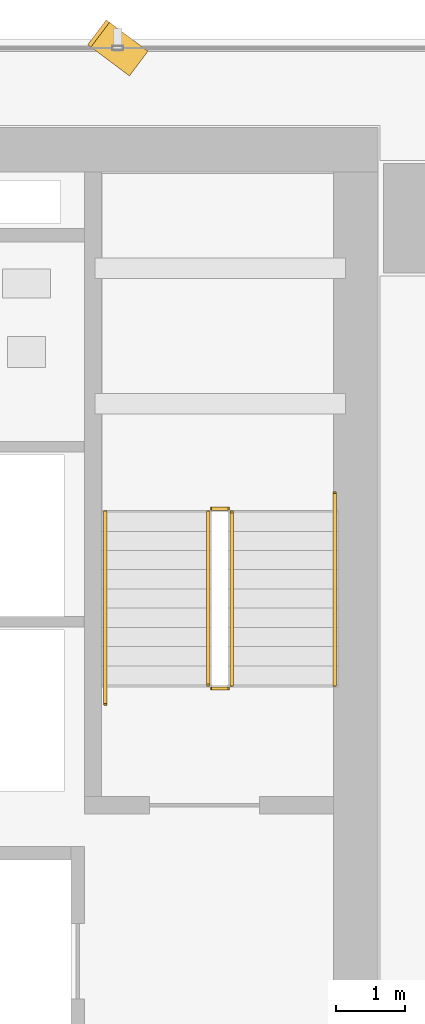
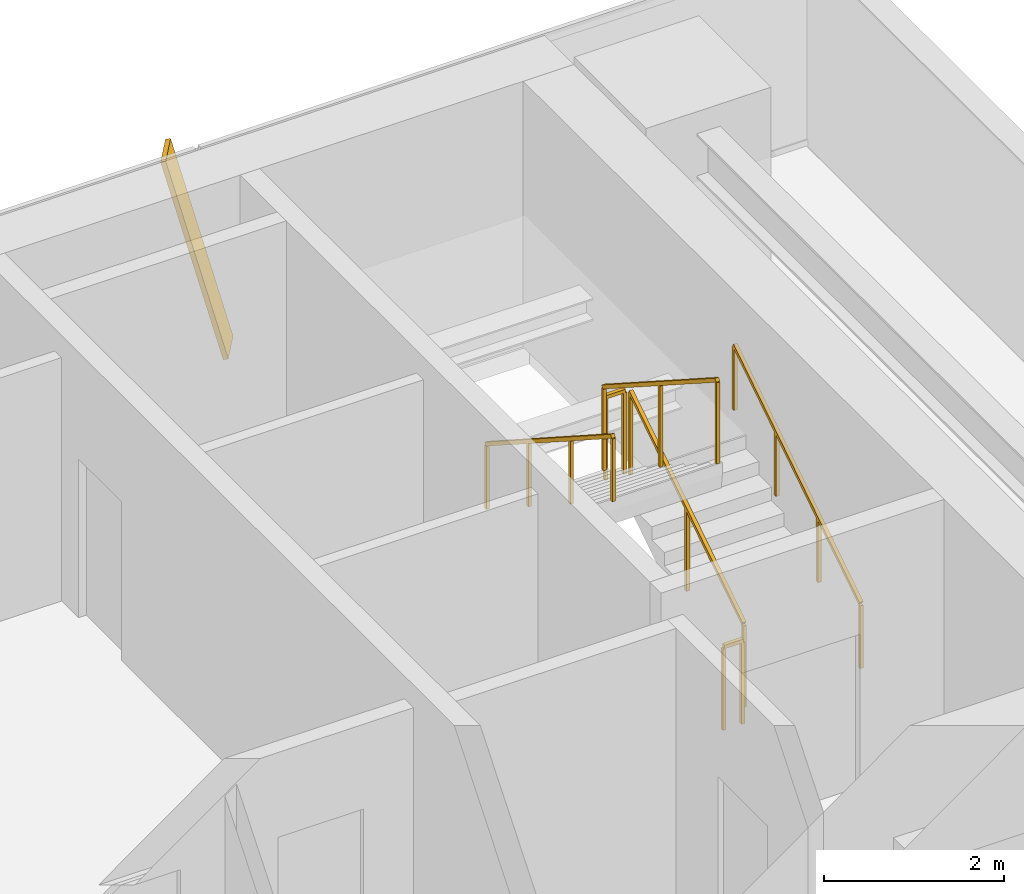
# One storey, part 35 of 36: 6 railings, 1 shading device.
"""IFC4 building model written with IfcOpenShell, lengths in metres."""

from ifc_helpers import new_model, si_unit, direction, frame, origin, origin_2d, place, context, subcontext, project, spatial, rectangle, extrude, source, transform, mapped, material, material_profile, profile_set, type_object, element, save


model = new_model("IFC4")

# Units and contexts
model_context = context("Model", 3, precision=1e-05, world=origin(), true_north=direction((0.0, 1.0)))
body_context = subcontext(model_context, "Body", "Model", "MODEL_VIEW")
ifc_project = project(units=[si_unit("LENGTHUNIT", "METRE"), si_unit("AREAUNIT", "SQUARE_METRE"), si_unit("VOLUMEUNIT", "CUBIC_METRE"), si_unit("PLANEANGLEUNIT", "RADIAN"), si_unit("MASSUNIT", "GRAM", prefix="KILO")], contexts=[model_context])

# Site, building, storey
site_placement = place(None, origin())
site = spatial("IfcSite", under=ifc_project, at=site_placement, CompositionType="ELEMENT")
building_placement = place(site_placement, origin())
building = spatial("IfcBuilding", under=site, at=building_placement, Name="Sumidabori Civic Tower", CompositionType="ELEMENT")
storey_placement = place(building_placement, frame((0.0, 0.0, 120.800048828125)))
storey = spatial("IfcBuildingStorey", under=building, at=storey_placement, Name="L31", CompositionType="ELEMENT", Elevation=120.800048828125)

# Railings
ifc_material_1 = material(Name="Stainless Steel Hairline Finish", Category="steel")
railing_type_1 = type_object("IfcRailingType", Name="RL-HANDRAIL", PredefinedType="HANDRAIL", material=ifc_material_1)
railing_1_placement = place(storey_placement, frame((15.2900390625, 16.0, 0.179931640625)))
element("IfcRailing", 1, at=railing_1_placement, inside=storey, type_object=railing_type_1, Name="L31 ST-2 stair handrail 1", PredefinedType="HANDRAIL", context=body_context, shape_type="SweptSolid", body=[
    extrude(rectangle(XDim=0.048095703125, YDim=0.048095703125, at=origin_2d()), frame((0.0, 0.0, 0.8759765625), z_axis=(0.0, 0.840675598268, 0.541539046124), x_axis=(-1.0, 0.0, 0.0)), (0.0, 0.0, 1.0), 3.330810546875),
    extrude(rectangle(XDim=0.0419921875, YDim=0.0419921875, at=origin_2d()), origin(), (0.0, 0.0, 1.0), 0.851806640625),
    extrude(rectangle(XDim=0.0419921875, YDim=0.0419921875, at=origin_2d()), frame((0.0, 0.933349609375, 0.601318359375)), (0.0, 0.0, 1.0), 0.851806640625),
    extrude(rectangle(XDim=0.0419921875, YDim=0.0419921875, at=origin_2d()), frame((0.0, 1.86669921875, 1.202392578125)), (0.0, 0.0, 1.0), 0.851806640625),
    extrude(rectangle(XDim=0.0419921875, YDim=0.0419921875, at=origin_2d()), frame((0.0, 2.800048828125, 1.8037109375)), (0.0, 0.0, 1.0), 0.851806640625),
])
railing_2_placement = place(storey_placement, frame((11.949951171875, 18.52001953125, 1.97998046875)))
element("IfcRailing", 2, at=railing_2_placement, inside=storey, type_object=railing_type_1, Name="L31 ST-2 stair handrail 2", PredefinedType="HANDRAIL", context=body_context, shape_type="SweptSolid", body=[
    extrude(rectangle(XDim=0.048095703125, YDim=0.048095703125, at=origin_2d()), frame((0.0, 0.0, 0.8759765625), z_axis=(0.0, -0.840675598268, 0.541539046124), x_axis=(1.0, 0.0, 0.0)), (0.0, 0.0, 1.0), 3.330810546875),
    extrude(rectangle(XDim=0.0419921875, YDim=0.0419921875, at=origin_2d()), origin(), (0.0, 0.0, 1.0), 0.851806640625),
    extrude(rectangle(XDim=0.0419921875, YDim=0.0419921875, at=origin_2d()), frame((0.0, -0.933349609375, 0.601318359375)), (0.0, 0.0, 1.0), 0.851806640625),
    extrude(rectangle(XDim=0.0419921875, YDim=0.0419921875, at=origin_2d()), frame((0.0, -1.86669921875, 1.202392578125)), (0.0, 0.0, 1.0), 0.851806640625),
    extrude(rectangle(XDim=0.0419921875, YDim=0.0419921875, at=origin_2d()), frame((0.0, -2.800048828125, 1.8037109375)), (0.0, 0.0, 1.0), 0.851806640625),
])
ifc_material_2 = material(Name="Steel SN490", Category="steel")
railing_type_2 = type_object("IfcRailingType", Name="RL-STAIR-GUARD", PredefinedType="GUARDRAIL", material=ifc_material_2)
railing_3_placement = place(storey_placement, frame((13.7900390625, 16.0, 0.179931640625)))
element("IfcRailing", 3, at=railing_3_placement, inside=storey, type_object=railing_type_2, Name="L31 ST-2 stair guard 1", PredefinedType="GUARDRAIL", context=body_context, shape_type="SweptSolid", body=[
    extrude(rectangle(XDim=0.048095703125, YDim=0.048095703125, at=origin_2d()), frame((0.0, 0.0, 1.1259765625), z_axis=(0.0, 0.841162588446, 0.540782303519), x_axis=(-1.0, 0.0, 0.0)), (0.0, 0.0, 1.0), 2.995849609375),
    extrude(rectangle(XDim=0.0419921875, YDim=0.0419921875, at=origin_2d()), origin(), (0.0, 0.0, 1.0), 1.101806640625),
    extrude(rectangle(XDim=0.0419921875, YDim=0.0419921875, at=origin_2d()), frame((0.0, 1.260009765625, 0.81005859375)), (0.0, 0.0, 1.0), 1.101806640625),
    extrude(rectangle(XDim=0.0419921875, YDim=0.0419921875, at=origin_2d()), frame((0.0, 2.52001953125, 1.6201171875)), (0.0, 0.0, 1.0), 1.101806640625),
])
railing_4_placement = place(storey_placement, frame((13.739990234375, 18.570068359375, 1.800048828125)))
element("IfcRailing", 4, at=railing_4_placement, inside=storey, type_object=railing_type_2, Name="L31 ST-2 stair guard 2", PredefinedType="GUARDRAIL", context=body_context, shape_type="SweptSolid", body=[
    extrude(rectangle(XDim=0.048095703125, YDim=0.048095703125, at=origin_2d()), frame((0.0, 0.0, 1.1259765625), z_axis=(-1.0, 0.0, 0.0), x_axis=(0.0, -1.0, 0.0)), (0.0, 0.0, 1.0), 0.239990234375),
    extrude(rectangle(XDim=0.0419921875, YDim=0.0419921875, at=origin_2d()), origin(), (0.0, 0.0, 1.0), 1.101806640625),
    extrude(rectangle(XDim=0.0419921875, YDim=0.0419921875, at=origin_2d()), frame((-0.239990234375, 0.0, 0.0)), (0.0, 0.0, 1.0), 1.101806640625),
])
railing_5_placement = place(storey_placement, frame((13.449951171875, 18.52001953125, 1.97998046875)))
element("IfcRailing", 5, at=railing_5_placement, inside=storey, type_object=railing_type_2, Name="L31 ST-2 stair guard 3", PredefinedType="GUARDRAIL", context=body_context, shape_type="SweptSolid", body=[
    extrude(rectangle(XDim=0.048095703125, YDim=0.048095703125, at=origin_2d()), frame((0.0, 0.0, 1.1259765625), z_axis=(0.0, -0.841199657755, 0.540724639528), x_axis=(1.0, 0.0, 0.0)), (0.0, 0.0, 1.0), 2.995849609375),
    extrude(rectangle(XDim=0.0419921875, YDim=0.0419921875, at=origin_2d()), origin(), (0.0, 0.0, 1.0), 1.101806640625),
    extrude(rectangle(XDim=0.0419921875, YDim=0.0419921875, at=origin_2d()), frame((0.0, -1.260009765625, 0.81005859375)), (0.0, 0.0, 1.0), 1.101806640625),
    extrude(rectangle(XDim=0.0419921875, YDim=0.0419921875, at=origin_2d()), frame((0.0, -2.52001953125, 1.619873046875)), (0.0, 0.0, 1.0), 1.101806640625),
])
railing_6_placement = place(storey_placement, frame((13.739990234375, 15.949951171875, 0.0)))
element("IfcRailing", 6, at=railing_6_placement, inside=storey, type_object=railing_type_2, Name="L31 ST-2 stair guard 4", PredefinedType="GUARDRAIL", context=body_context, shape_type="SweptSolid", body=[
    extrude(rectangle(XDim=0.048095703125, YDim=0.048095703125, at=origin_2d()), frame((0.0, 0.0, 1.1259765625), z_axis=(-1.0, 0.0, 0.0), x_axis=(0.0, -1.0, 0.0)), (0.0, 0.0, 1.0), 0.239990234375),
    extrude(rectangle(XDim=0.0419921875, YDim=0.0419921875, at=origin_2d()), origin(), (0.0, 0.0, 1.0), 1.101806640625),
    extrude(rectangle(XDim=0.0419921875, YDim=0.0419921875, at=origin_2d()), frame((-0.239990234375, 0.0, 0.0)), (0.0, 0.0, 1.0), 1.101806640625),
])

# Shading device
ifc_material_3 = material(Name="Anodised Bronze Aluminium AW-6063-T6", Category="aluminium")
ifc_material_profile = material_profile(ifc_material_3, rectangle(XDim=0.06005859375, YDim=0.449951171875, at=origin_2d()), Name="BRONZE FIN 450x60")
ifc_profile_set = profile_set([ifc_material_profile], Name="Anodised Bronze Aluminium AW-6063-T6")
shading_device_type = type_object("IfcShadingDeviceType", Name="SH-FIN-450", PredefinedType="USERDEFINED", material=ifc_profile_set)
shared_shape = source(origin(), body_context, "Body", "SweptSolid", [
    extrude(rectangle(XDim=0.06005859375, YDim=0.449951171875, at=origin_2d()), origin(), (0.0, 0.0, 1.0), 2.711669921875),
])
shading_device_placement = place(storey_placement, frame((12.412109375, 25.070068359375, 0.02001953125), z_axis=(-0.206528258987, 0.154851179363, 0.966109305664), x_axis=(0.772968305533, -0.579557753059, 0.258133317319)))
element("IfcShadingDevice", 7, at=shading_device_placement, inside=storey, type_object=shading_device_type, Name="Bronze Anodised Diagonal Fin L31-01", ObjectType="FIN", PredefinedType="USERDEFINED", context=body_context, shape_type="MappedRepresentation", body=[
    mapped(shared_shape, transform((0.0, 0.0, 0.0), x_axis=(1.0, 0.0, 0.0), y_axis=(0.0, 1.0, 0.0), z_axis=(0.0, 0.0, 1.0), scale=1.0)),
])

save(model, "model.ifc")
